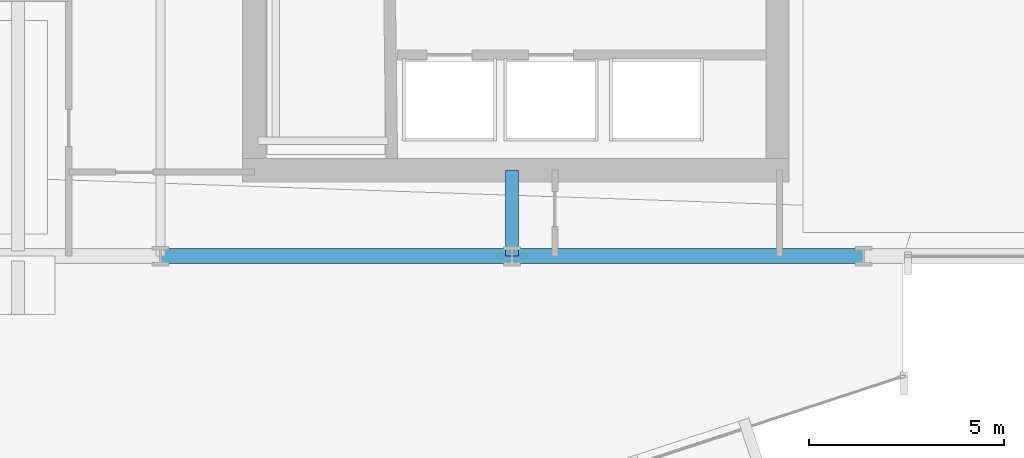
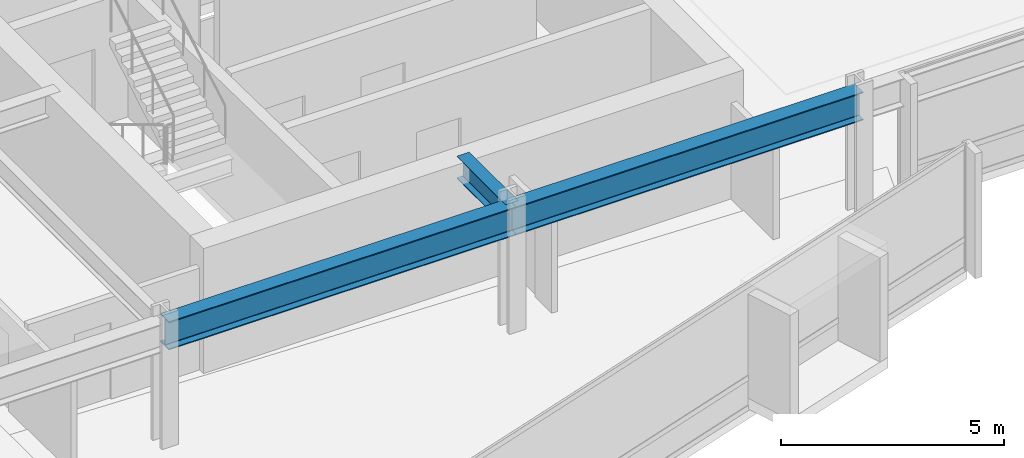
# One storey, part 11 of 34: 3 beams.
"""IFC4 building model written with IfcOpenShell, lengths in metres."""

from ifc_helpers import new_model, si_unit, direction, frame, origin, origin_2d, place, context, subcontext, project, spatial, i_section, extrude, material, material_profile, profile_set, type_object, element, save


model = new_model("IFC4")

# Units and contexts
model_context = context("Model", 3, precision=1e-05, world=origin(), true_north=direction((0.0, 1.0)))
body_context = subcontext(model_context, "Body", "Model", "MODEL_VIEW")
ifc_project = project(units=[si_unit("LENGTHUNIT", "METRE"), si_unit("AREAUNIT", "SQUARE_METRE"), si_unit("VOLUMEUNIT", "CUBIC_METRE"), si_unit("PLANEANGLEUNIT", "RADIAN"), si_unit("MASSUNIT", "GRAM", prefix="KILO")], contexts=[model_context])

# Site, building, storey
site_placement = place(None, origin())
site = spatial("IfcSite", under=ifc_project, at=site_placement, CompositionType="ELEMENT")
building_placement = place(site_placement, origin())
building = spatial("IfcBuilding", under=site, at=building_placement, Name="Solvaryn Broadcast Tower", CompositionType="ELEMENT")
storey_placement = place(building_placement, frame((0.0, 0.0, 65.60009765625)))
storey = spatial("IfcBuildingStorey", under=building, at=storey_placement, Name="L15", CompositionType="ELEMENT", Elevation=65.60009765625)

# Beams
ifc_material_1 = material(Name="Steel ASTM A992 Grade 50", Category="steel")
ifc_material_profile_1 = material_profile(ifc_material_1, i_section(OverallWidth=0.323974609375, OverallDepth=0.611083984375, WebThickness=0.0126953125, FlangeThickness=0.01904296875, FilletRadius=0.014892578125, at=origin_2d()))
ifc_profile_set_1 = profile_set([ifc_material_profile_1], Name="Steel ASTM A992 Grade 50")
beam_type_1 = type_object("IfcBeamType", Name="BM-B1-W24X104", PredefinedType="BEAM", material=ifc_profile_set_1)
beam_placement = place(storey_placement, frame((36.0, 9.0, 3.114501953125), z_axis=(0.0, 1.0, 0.0), x_axis=(-1.0, 0.0, 0.0)))
element("IfcBeam", 1, at=beam_placement, inside=storey, type_object=beam_type_1, Name="L15 Core Tie Beam CTE1", PredefinedType="BEAM", context=body_context, shape_type="SweptSolid", body=[
    extrude(i_section(OverallWidth=0.323974609375, OverallDepth=0.611083984375, WebThickness=0.0126953125, FlangeThickness=0.01904296875, FilletRadius=0.014892578125, at=origin_2d()), origin(), (0.0, 0.0, 1.0), 2.199951171875),
])
ifc_material_2 = material(Name="Steel ASTM A992 Grade 50", Category="steel")
ifc_material_profile_2 = material_profile(ifc_material_2, i_section(OverallWidth=0.381103515625, OverallDepth=0.77294921875, WebThickness=0.0166015625, FlangeThickness=0.027099609375, FilletRadius=0.01806640625, at=origin_2d()))
ifc_profile_set_2 = profile_set([ifc_material_profile_2], Name="Steel ASTM A992 Grade 50")
beam_type_2 = type_object("IfcBeamType", Name="BM-SP1-W30X173", PredefinedType="USERDEFINED", material=ifc_profile_set_2)
for number, where, z_axis, x_axis, name in (
    (2, (27.0, 9.0, 3.033447265625), (1.0, 0.0, 0.0), (0.0, 1.0, 0.0), "L15 Spandrel Beam X (27-36 @ Y=9)"),
    (3, (36.0, 9.0, 3.033447265625), (1.0, 0.0, 0.0), (0.0, 1.0, 0.0), "L15 Spandrel Beam X (36-45 @ Y=9)"),
):
    element("IfcBeam", number, at=place(storey_placement, frame(where, z_axis=z_axis, x_axis=x_axis)), inside=storey, type_object=beam_type_2, Name=name, ObjectType="SPANDREL", PredefinedType="USERDEFINED", context=body_context, shape_type="SweptSolid", body=[
        extrude(i_section(OverallWidth=0.381103515625, OverallDepth=0.77294921875, WebThickness=0.0166015625, FlangeThickness=0.027099609375, FilletRadius=0.01806640625, at=origin_2d()), origin(), (0.0, 0.0, 1.0), 9.0),
    ])

save(model, "model.ifc")
